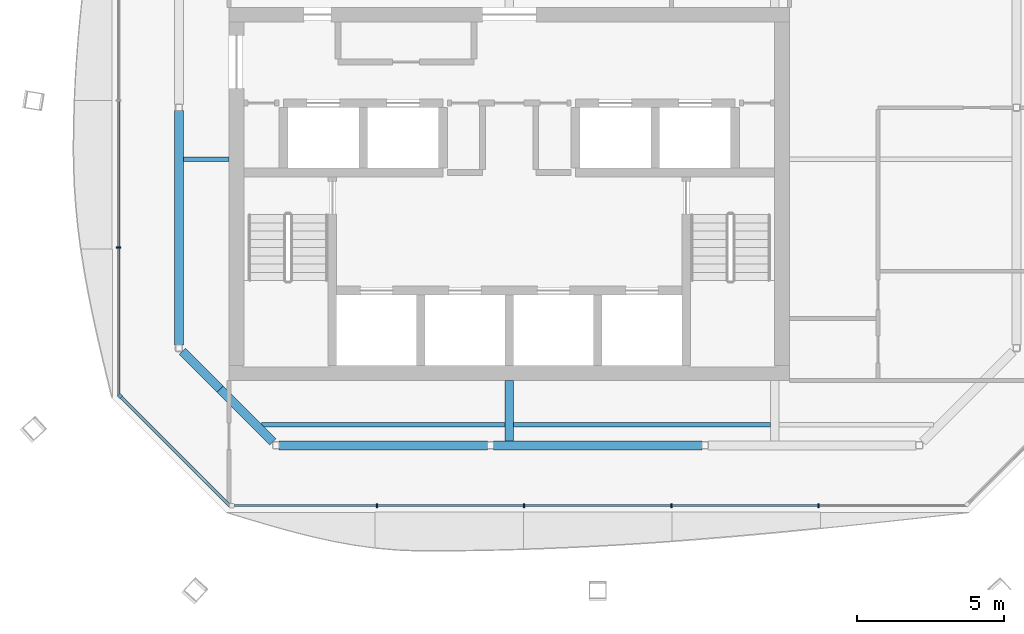
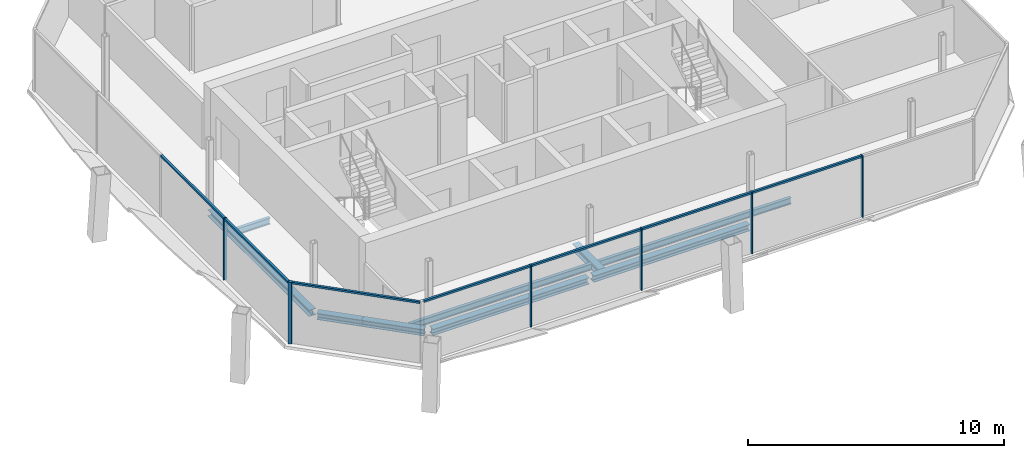
# One storey, part 3 of 14: 13 members, 9 beams, 3 elements without a shape of their own.
"""IFC4 building model written with IfcOpenShell, lengths in metres."""

from ifc_helpers import new_model, si_unit, direction, frame, origin, origin_2d, place, context, subcontext, project, spatial, rectangle, i_section, extrude, material, material_profile, profile_set, type_object, element, aggregate, save


model = new_model("IFC4")

# Units and contexts
model_context = context("Model", 3, precision=1e-05, world=origin(), true_north=direction((0.0, 1.0)))
body_context = subcontext(model_context, "Body", "Model", "MODEL_VIEW")
ifc_project = project(units=[si_unit("LENGTHUNIT", "METRE"), si_unit("AREAUNIT", "SQUARE_METRE"), si_unit("VOLUMEUNIT", "CUBIC_METRE"), si_unit("PLANEANGLEUNIT", "RADIAN"), si_unit("MASSUNIT", "GRAM", prefix="KILO")], contexts=[model_context])

# Site, building, storey
site_placement = place(None, origin())
site = spatial("IfcSite", under=ifc_project, at=site_placement, CompositionType="ELEMENT")
building_placement = place(site_placement, origin())
building = spatial("IfcBuilding", under=site, at=building_placement, Name="Tskaro Facet Tower", CompositionType="ELEMENT")
storey_placement = place(building_placement, frame((0.0, 0.0, 272.10009765625)))
storey = spatial("IfcBuildingStorey", under=building, at=storey_placement, Name="L72", CompositionType="ELEMENT", Elevation=272.10009765625)

# Curtain wall, member
ifc_material_1 = material(Name="Bronze anodised aluminium 6063-T6", Category="aluminium")
curtain_wall_type = type_object("IfcCurtainWallType", Name="Bronze residence curtain wall (FW3)", PredefinedType="NOTDEFINED", material=ifc_material_1)
curtain_wall_1_placement = place(storey_placement, origin())
curtain_wall_1 = element("IfcCurtainWall", 1, at=curtain_wall_1_placement, inside=storey, type_object=curtain_wall_type, Name="FW3 south-west facet L72", PredefinedType="NOTDEFINED")
ifc_material_profile_1 = material_profile(ifc_material_1, rectangle(XDim=0.139892578125, YDim=0.139892578125, at=origin_2d()), Name="Corner post 140x140")
ifc_profile_set_1 = profile_set([ifc_material_profile_1], Name="Bronze anodised aluminium 6063-T6")
member_type_1 = type_object("IfcMemberType", Name="FW3 bronze corner post 140x140", PredefinedType="MULLION", material=ifc_profile_set_1)
member_1_placement = place(storey_placement, frame((-13.196533203125, -12.528564453125, 0.0), z_axis=(0.0, 0.0, 1.0), x_axis=(0.707106781187, -0.707106781187, 0.0)))
member_1 = element("IfcMember", 2, at=member_1_placement, type_object=member_type_1, Name="FW3 south-west corner post", PredefinedType="MULLION", context=body_context, shape_type="SweptSolid", body=[
    extrude(rectangle(XDim=0.139892578125, YDim=0.139892578125, at=origin_2d()), origin(), (0.0, 0.0, 1.0), 2.949951171875),
])

# Curtain wall, members
curtain_wall_2_placement = place(storey_placement, origin())
curtain_wall_2 = element("IfcCurtainWall", 3, at=curtain_wall_2_placement, inside=storey, type_object=curtain_wall_type, Name="FW3 south facet L72", PredefinedType="NOTDEFINED")
ifc_material_profile_2 = material_profile(ifc_material_1, rectangle(XDim=0.050048828125, YDim=0.139892578125, at=origin_2d()), Name="Mullion 50x140")
ifc_profile_set_2 = profile_set([ifc_material_profile_2], Name="Bronze anodised aluminium 6063-T6")
member_type_2 = type_object("IfcMemberType", Name="FW3 bronze mullion 50x140", PredefinedType="MULLION", material=ifc_profile_set_2)
member_2_placement = place(storey_placement, frame((-4.4873046875, -16.24609375, 0.0), z_axis=(0.0, 0.0, 1.0), x_axis=(1.0, 0.0, 0.0)))
member_2 = element("IfcMember", 4, at=member_2_placement, type_object=member_type_2, Name="FW3 south mullion 1", PredefinedType="MULLION", context=body_context, shape_type="SweptSolid", body=[
    extrude(rectangle(XDim=0.050048828125, YDim=0.139892578125, at=origin_2d()), origin(), (0.0, 0.0, 1.0), 2.949951171875),
])
member_3_placement = place(storey_placement, frame((0.504150390625, -16.24609375, 0.0), z_axis=(0.0, 0.0, 1.0), x_axis=(1.0, 0.0, 0.0)))
member_3 = element("IfcMember", 5, at=member_3_placement, type_object=member_type_2, Name="FW3 south mullion 2", PredefinedType="MULLION", context=body_context, shape_type="SweptSolid", body=[
    extrude(rectangle(XDim=0.050048828125, YDim=0.139892578125, at=origin_2d()), origin(), (0.0, 0.0, 1.0), 2.949951171875),
])
member_4_placement = place(storey_placement, frame((5.495849609375, -16.24609375, 0.0), z_axis=(0.0, 0.0, 1.0), x_axis=(1.0, 0.0, 0.0)))
member_4 = element("IfcMember", 6, at=member_4_placement, type_object=member_type_2, Name="FW3 south mullion 3", PredefinedType="MULLION", context=body_context, shape_type="SweptSolid", body=[
    extrude(rectangle(XDim=0.050048828125, YDim=0.139892578125, at=origin_2d()), origin(), (0.0, 0.0, 1.0), 2.949951171875),
])
member_5_placement = place(storey_placement, frame((10.4873046875, -16.24609375, 0.0), z_axis=(0.0, 0.0, 1.0), x_axis=(1.0, 0.0, 0.0)))
member_5 = element("IfcMember", 7, at=member_5_placement, type_object=member_type_2, Name="FW3 south mullion 4", PredefinedType="MULLION", context=body_context, shape_type="SweptSolid", body=[
    extrude(rectangle(XDim=0.050048828125, YDim=0.139892578125, at=origin_2d()), origin(), (0.0, 0.0, 1.0), 2.949951171875),
])

# Curtain wall, member
curtain_wall_3_placement = place(storey_placement, origin())
curtain_wall_3 = element("IfcCurtainWall", 8, at=curtain_wall_3_placement, inside=storey, type_object=curtain_wall_type, Name="FW3 west facet L72", PredefinedType="NOTDEFINED")
member_6_placement = place(storey_placement, frame((-13.24609375, -7.4951171875, 0.0), z_axis=(0.0, 0.0, 1.0), x_axis=(0.0, -1.0, 0.0)))
member_6 = element("IfcMember", 9, at=member_6_placement, type_object=member_type_2, Name="FW3 west mullion 3", PredefinedType="MULLION", context=body_context, shape_type="SweptSolid", body=[
    extrude(rectangle(XDim=0.050048828125, YDim=0.139892578125, at=origin_2d()), origin(), (0.0, 0.0, 1.0), 2.949951171875),
])

# Member
ifc_material_profile_3 = material_profile(ifc_material_1, rectangle(XDim=0.10009765625, YDim=0.090087890625, at=origin_2d()), Name="Transom 100x90")
ifc_profile_set_3 = profile_set([ifc_material_profile_3], Name="Bronze anodised aluminium 6063-T6")
member_type_3 = type_object("IfcMemberType", Name="FW3 bronze transom 100x90", PredefinedType="USERDEFINED", material=ifc_profile_set_3)
member_7_placement = place(storey_placement, frame((-9.339111328125, -16.24609375, 2.90478515625), z_axis=(1.0, 0.0, 0.0), x_axis=(0.0, 1.0, 0.0)))
member_7 = element("IfcMember", 10, at=member_7_placement, type_object=member_type_3, Name="FW3 south transom 1.1", ObjectType="TRANSOM", PredefinedType="USERDEFINED", context=body_context, shape_type="SweptSolid", body=[
    extrude(rectangle(XDim=0.10009765625, YDim=0.090087890625, at=origin_2d()), origin(), (0.0, 0.0, 1.0), 4.82666015625),
])

member_8_placement = place(storey_placement, frame((-4.46240234375, -16.24609375, 2.90478515625), z_axis=(1.0, 0.0, 0.0), x_axis=(0.0, 1.0, 0.0)))
member_8 = element("IfcMember", 11, at=member_8_placement, type_object=member_type_3, Name="FW3 south transom 2.1", ObjectType="TRANSOM", PredefinedType="USERDEFINED", context=body_context, shape_type="SweptSolid", body=[
    extrude(rectangle(XDim=0.10009765625, YDim=0.090087890625, at=origin_2d()), origin(), (0.0, 0.0, 1.0), 4.941650390625),
])

member_9_placement = place(storey_placement, frame((0.529296875, -16.24609375, 2.90478515625), z_axis=(1.0, 0.0, 0.0), x_axis=(0.0, 1.0, 0.0)))
member_9 = element("IfcMember", 12, at=member_9_placement, type_object=member_type_3, Name="FW3 south transom 3.1", ObjectType="TRANSOM", PredefinedType="USERDEFINED", context=body_context, shape_type="SweptSolid", body=[
    extrude(rectangle(XDim=0.10009765625, YDim=0.090087890625, at=origin_2d()), origin(), (0.0, 0.0, 1.0), 4.94140625),
])

member_10_placement = place(storey_placement, frame((5.520751953125, -16.24609375, 2.90478515625), z_axis=(1.0, 0.0, 0.0), x_axis=(0.0, 1.0, 0.0)))
member_10 = element("IfcMember", 13, at=member_10_placement, type_object=member_type_3, Name="FW3 south transom 4.1", ObjectType="TRANSOM", PredefinedType="USERDEFINED", context=body_context, shape_type="SweptSolid", body=[
    extrude(rectangle(XDim=0.10009765625, YDim=0.090087890625, at=origin_2d()), origin(), (0.0, 0.0, 1.0), 4.941650390625),
])

aggregate(curtain_wall_2, [member_2, member_3, member_4, member_5, member_7, member_8, member_9, member_10])

member_11_placement = place(storey_placement, frame((-13.24609375, -2.535888671875, 2.90478515625), z_axis=(0.0, -1.0, 0.0), x_axis=(1.0, 0.0, 0.0)))
member_11 = element("IfcMember", 14, at=member_11_placement, type_object=member_type_3, Name="FW3 west transom 3.1", ObjectType="TRANSOM", PredefinedType="USERDEFINED", context=body_context, shape_type="SweptSolid", body=[
    extrude(rectangle(XDim=0.10009765625, YDim=0.090087890625, at=origin_2d()), origin(), (0.0, 0.0, 1.0), 4.93408203125),
])

member_12_placement = place(storey_placement, frame((-13.24609375, -7.52001953125, 2.90478515625), z_axis=(0.0, -1.0, 0.0), x_axis=(1.0, 0.0, 0.0)))
member_12 = element("IfcMember", 15, at=member_12_placement, type_object=member_type_3, Name="FW3 west transom 4.1", ObjectType="TRANSOM", PredefinedType="USERDEFINED", context=body_context, shape_type="SweptSolid", body=[
    extrude(rectangle(XDim=0.10009765625, YDim=0.090087890625, at=origin_2d()), origin(), (0.0, 0.0, 1.0), 4.958984375),
])

aggregate(curtain_wall_3, [member_6, member_11, member_12])

member_13_placement = place(storey_placement, frame((-13.14697265625, -12.577880859375, 2.90478515625), z_axis=(0.707083249004, -0.707130312586, 0.0), x_axis=(0.707130312586, 0.707083249004, 0.0)))
member_13 = element("IfcMember", 16, at=member_13_placement, type_object=member_type_3, Name="FW3 south-west transom 1.1", ObjectType="TRANSOM", PredefinedType="USERDEFINED", context=body_context, shape_type="SweptSolid", body=[
    extrude(rectangle(XDim=0.10009765625, YDim=0.090087890625, at=origin_2d()), origin(), (0.0, 0.0, 1.0), 5.1875),
])

aggregate(curtain_wall_1, [member_1, member_13])

# Beams
ifc_material_2 = material(Name="Steel S355J2", Category="steel")
ifc_material_profile_4 = material_profile(ifc_material_2, i_section(OverallWidth=0.300048828125, OverallDepth=0.300048828125, WebThickness=0.010986328125, FlangeThickness=0.01904296875, FilletRadius=0.027099609375, at=origin_2d()), Name="HE 300 B")
ifc_profile_set_4 = profile_set([ifc_material_profile_4], Name="Steel S355J2")
beam_type_1 = type_object("IfcBeamType", Name="HE 300 B ring beam", PredefinedType="BEAM", material=ifc_profile_set_4)
beam_1_placement = place(storey_placement, frame((-7.798095703125, -14.199951171875, -0.2900390625), z_axis=(1.0, 0.0, 0.0), x_axis=(0.0, 1.0, 0.0)))
element("IfcBeam", 17, at=beam_1_placement, inside=storey, type_object=beam_type_1, Name="HE 300 B EB1-6", PredefinedType="BEAM", context=body_context, shape_type="SweptSolid", body=[
    extrude(i_section(OverallWidth=0.300048828125, OverallDepth=0.300048828125, WebThickness=0.010986328125, FlangeThickness=0.01904296875, FilletRadius=0.027099609375, at=origin_2d()), origin(), (0.0, 0.0, 1.0), 7.05908203125),
])
beam_2_placement = place(storey_placement, frame((-0.529052734375, -14.199951171875, -0.2900390625), z_axis=(1.0, 0.0, 0.0), x_axis=(0.0, 1.0, 0.0)))
element("IfcBeam", 18, at=beam_2_placement, inside=storey, type_object=beam_type_1, Name="HE 300 B EB2-6", PredefinedType="BEAM", context=body_context, shape_type="SweptSolid", body=[
    extrude(i_section(OverallWidth=0.300048828125, OverallDepth=0.300048828125, WebThickness=0.010986328125, FlangeThickness=0.01904296875, FilletRadius=0.027099609375, at=origin_2d()), origin(), (0.0, 0.0, 1.0), 7.05810546875),
])
beam_3_placement = place(storey_placement, frame((-11.199951171875, -2.85498046875, -0.2900390625), z_axis=(0.0, -1.0, 0.0), x_axis=(1.0, 0.0, 0.0)))
element("IfcBeam", 19, at=beam_3_placement, inside=storey, type_object=beam_type_1, Name="HE 300 B EB14-6", PredefinedType="BEAM", context=body_context, shape_type="SweptSolid", body=[
    extrude(i_section(OverallWidth=0.300048828125, OverallDepth=0.300048828125, WebThickness=0.010986328125, FlangeThickness=0.01904296875, FilletRadius=0.027099609375, at=origin_2d()), origin(), (0.0, 0.0, 1.0), 7.943115234375),
])
beam_4_placement = place(storey_placement, frame((-11.089111328125, -11.013916015625, -0.2900390625), z_axis=(0.707106781187, -0.707106781187, 0.0), x_axis=(0.707106781187, 0.707106781187, 0.0)))
element("IfcBeam", 20, at=beam_4_placement, inside=storey, type_object=beam_type_1, Name="HE 300 B EB15a-6", PredefinedType="BEAM", context=body_context, shape_type="SweptSolid", body=[
    extrude(i_section(OverallWidth=0.300048828125, OverallDepth=0.300048828125, WebThickness=0.010986328125, FlangeThickness=0.01904296875, FilletRadius=0.027099609375, at=origin_2d()), origin(), (0.0, 0.0, 1.0), 1.821044921875),
])
beam_5_placement = place(storey_placement, frame((-9.801513671875, -12.301513671875, -0.2900390625), z_axis=(0.707106781187, -0.707106781187, 0.0), x_axis=(0.707106781187, 0.707106781187, 0.0)))
element("IfcBeam", 21, at=beam_5_placement, inside=storey, type_object=beam_type_1, Name="HE 300 B EB15b-6", PredefinedType="BEAM", context=body_context, shape_type="SweptSolid", body=[
    extrude(i_section(OverallWidth=0.300048828125, OverallDepth=0.300048828125, WebThickness=0.010986328125, FlangeThickness=0.01904296875, FilletRadius=0.027099609375, at=origin_2d()), origin(), (0.0, 0.0, 1.0), 2.528076171875),
])
ifc_material_profile_5 = material_profile(ifc_material_2, i_section(OverallWidth=0.300048828125, OverallDepth=0.330078125, WebThickness=0.009521484375, FlangeThickness=0.0166015625, FilletRadius=0.027099609375, at=origin_2d()), Name="HE 340 A")
ifc_profile_set_5 = profile_set([ifc_material_profile_5], Name="Steel S355J2")
beam_type_2 = type_object("IfcBeamType", Name="HE 340 A girder", PredefinedType="BEAM", material=ifc_profile_set_5)
beam_6_placement = place(storey_placement, frame((0.0, -14.050048828125, -0.30517578125), z_axis=(0.0, 1.0, 0.0), x_axis=(-1.0, 0.0, 0.0)))
element("IfcBeam", 22, at=beam_6_placement, inside=storey, type_object=beam_type_2, Name="HE 340 A GB4-1-6", PredefinedType="BEAM", context=body_context, shape_type="SweptSolid", body=[
    extrude(i_section(OverallWidth=0.300048828125, OverallDepth=0.330078125, WebThickness=0.009521484375, FlangeThickness=0.0166015625, FilletRadius=0.027099609375, at=origin_2d()), origin(), (0.0, 0.0, 1.0), 2.050048828125),
])
ifc_material_profile_6 = material_profile(ifc_material_2, i_section(OverallWidth=0.14990234375, OverallDepth=0.300048828125, WebThickness=0.007080078125, FlangeThickness=0.0107421875, FilletRadius=0.014892578125, at=origin_2d()), Name="IPE 300")
ifc_profile_set_6 = profile_set([ifc_material_profile_6], Name="Steel S355J2")
beam_type_3 = type_object("IfcBeamType", Name="IPE 300 secondary beam", PredefinedType="BEAM", material=ifc_profile_set_6)
beam_7_placement = place(storey_placement, frame((-8.39111328125, -13.5, -0.2900390625), z_axis=(1.0, 0.0, 0.0), x_axis=(0.0, 1.0, 0.0)))
element("IfcBeam", 23, at=beam_7_placement, inside=storey, type_object=beam_type_3, Name="IPE 300 SB2a-1-6", PredefinedType="BEAM", context=body_context, shape_type="SweptSolid", body=[
    extrude(i_section(OverallWidth=0.14990234375, OverallDepth=0.300048828125, WebThickness=0.007080078125, FlangeThickness=0.0107421875, FilletRadius=0.014892578125, at=origin_2d()), origin(), (0.0, 0.0, 1.0), 8.2412109375),
])
beam_8_placement = place(storey_placement, frame((0.14990234375, -13.5, -0.2900390625), z_axis=(1.0, 0.0, 0.0), x_axis=(0.0, 1.0, 0.0)))
element("IfcBeam", 24, at=beam_8_placement, inside=storey, type_object=beam_type_3, Name="IPE 300 SB2a-2-6", PredefinedType="BEAM", context=body_context, shape_type="SweptSolid", body=[
    extrude(i_section(OverallWidth=0.14990234375, OverallDepth=0.300048828125, WebThickness=0.007080078125, FlangeThickness=0.0107421875, FilletRadius=0.014892578125, at=origin_2d()), origin(), (0.0, 0.0, 1.0), 8.7001953125),
])
beam_9_placement = place(storey_placement, frame((-11.050048828125, -4.5, -0.2900390625), z_axis=(1.0, 0.0, 0.0), x_axis=(0.0, 1.0, 0.0)))
element("IfcBeam", 25, at=beam_9_placement, inside=storey, type_object=beam_type_3, Name="IPE 300 SB3a-1-6", PredefinedType="BEAM", context=body_context, shape_type="SweptSolid", body=[
    extrude(i_section(OverallWidth=0.14990234375, OverallDepth=0.300048828125, WebThickness=0.007080078125, FlangeThickness=0.0107421875, FilletRadius=0.014892578125, at=origin_2d()), origin(), (0.0, 0.0, 1.0), 1.550048828125),
])

save(model, "model.ifc")
